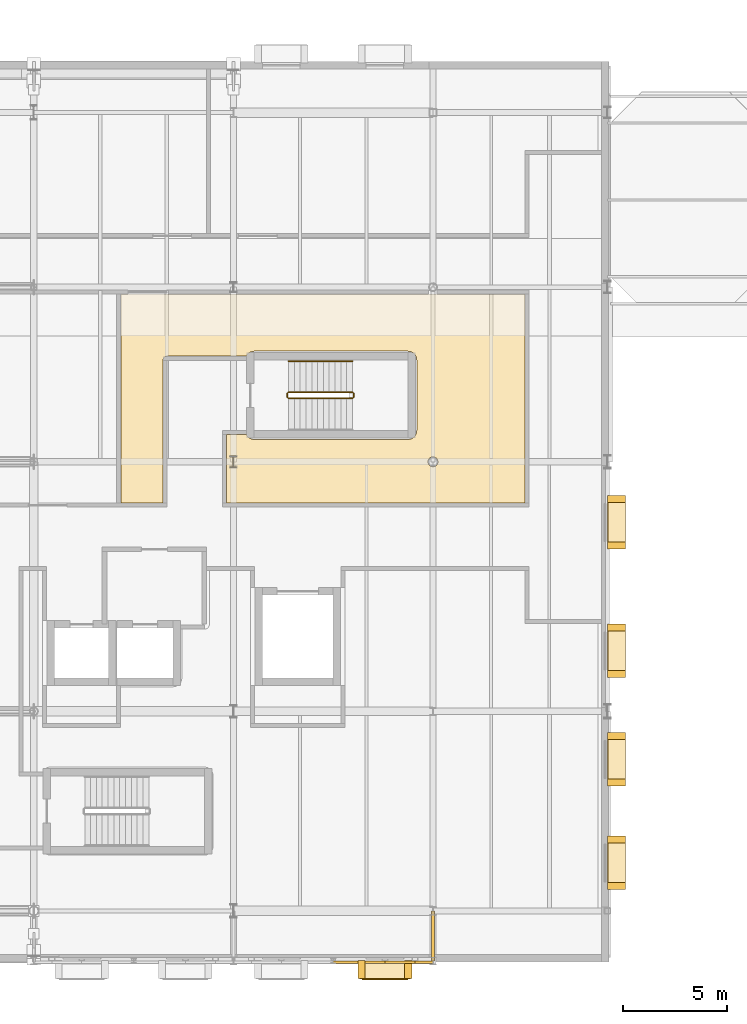
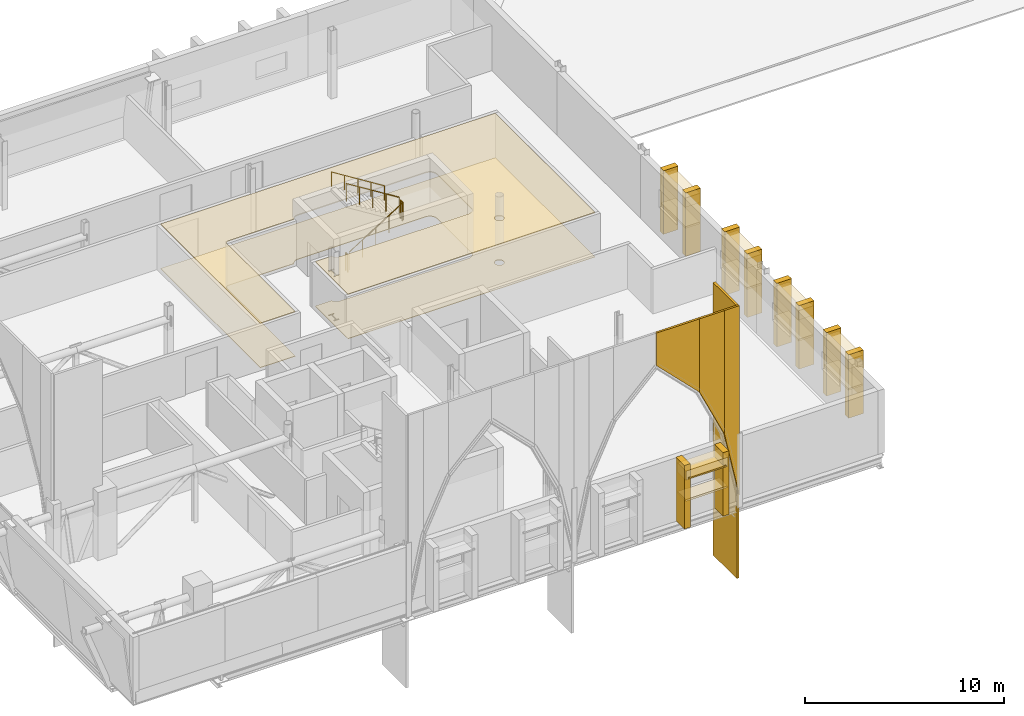
# One storey, part 75 of 90: 26 coverings, 5 railings, 1 shading device.
"""IFC4 building model written with IfcOpenShell, lengths in metres."""

from ifc_helpers import new_model, si_unit, direction, frame, origin, origin_2d, place, context, subcontext, project, spatial, polyline, rectangle, circle, outline, extrude, material, layer, layer_set, type_object, element, save


model = new_model("IFC4")

# Units and contexts
model_context = context("Model", 3, precision=1e-05, world=origin(), true_north=direction((0.0, 1.0)))
body_context = subcontext(model_context, "Body", "Model", "MODEL_VIEW")
ifc_project = project(units=[si_unit("LENGTHUNIT", "METRE"), si_unit("AREAUNIT", "SQUARE_METRE"), si_unit("VOLUMEUNIT", "CUBIC_METRE"), si_unit("PLANEANGLEUNIT", "RADIAN"), si_unit("MASSUNIT", "GRAM", prefix="KILO")], contexts=[model_context])

# Site, building, storey
site_placement = place(None, origin())
site = spatial("IfcSite", under=ifc_project, at=site_placement, CompositionType="ELEMENT")
building_placement = place(site_placement, origin())
building = spatial("IfcBuilding", under=site, at=building_placement, Name="Zereglee Splitstone Museum", CompositionType="ELEMENT")
storey_placement = place(building_placement, frame((0.0, 0.0, 4.800048828125)))
storey = spatial("IfcBuildingStorey", under=building, at=storey_placement, Name="L01", CompositionType="ELEMENT", Elevation=4.800048828125)

# Coverings
ifc_material_1 = material(Name="Siberian larch acoustic timber ceiling", Category="wood")
ifc_layer_1 = layer(ifc_material_1, 0.06005859375)
ifc_layer_set_1 = layer_set([ifc_layer_1], Name="Siberian larch acoustic timber ceiling")
covering_type_1 = type_object("IfcCoveringType", Name="CLG-01", PredefinedType="CEILING", material=ifc_layer_set_1)
covering_1_placement = place(storey_placement, frame((0.0, 0.0, 2.699951171875)))
element("IfcCovering", 1, at=covering_1_placement, inside=storey, type_object=covering_type_1, Name="Acoustic Ceiling L01-021", PredefinedType="CEILING", context=body_context, shape_type="SweptSolid", body=[
    extrude(outline(polyline([(26.799072265625, 26.679931640625), (26.783203125, 26.67919921875), (26.781494140625, 26.678955078125), (26.765869140625, 26.6767578125), (26.763916015625, 26.67626953125), (26.748779296875, 26.672607421875), (26.746826171875, 26.671875), (26.73193359375, 26.666748046875), (26.730224609375, 26.666015625), (26.716064453125, 26.6591796875), (26.71435546875, 26.658203125), (26.70068359375, 26.650146484375), (26.69921875, 26.649169921875), (26.6865234375, 26.6396484375), (26.68505859375, 26.638427734375), (26.67333984375, 26.6279296875), (26.672119140625, 26.626708984375), (26.66162109375, 26.614990234375), (26.660400390625, 26.61328125), (26.65087890625, 26.600830078125), (26.64990234375, 26.59912109375), (26.6416015625, 26.585693359375), (26.640869140625, 26.583984375), (26.634033203125, 26.56982421875), (26.63330078125, 26.568115234375), (26.628173828125, 26.55322265625), (26.62744140625, 26.55126953125), (26.623779296875, 26.5361328125), (26.623291015625, 26.5341796875), (26.62109375, 26.5185546875), (26.620849609375, 26.5166015625), (26.6201171875, 26.5009765625), (26.6201171875, 26.5), (26.6201171875, 19.6298828125), (24.590087890625, 19.6298828125), (24.590087890625, 29.659912109375), (44.02001953125, 29.659912109375), (44.02001953125, 19.6298828125), (29.679931640625, 19.6298828125), (29.679931640625, 22.919921875), (30.62109375, 22.919921875), (30.629638671875, 22.902099609375), (30.65087890625, 22.86669921875), (30.67529296875, 22.83349609375), (30.702880859375, 22.802978515625), (30.733642578125, 22.775390625), (30.7666015625, 22.750732421875), (30.802001953125, 22.7294921875), (30.83935546875, 22.7119140625), (30.878173828125, 22.697998046875), (30.918212890625, 22.68798828125), (30.958740234375, 22.681884765625), (31.0, 22.679931640625), (38.39990234375, 22.679931640625), (38.441162109375, 22.681884765625), (38.48193359375, 22.68798828125), (38.52197265625, 22.697998046875), (38.560791015625, 22.7119140625), (38.597900390625, 22.7294921875), (38.63330078125, 22.750732421875), (38.66650390625, 22.775390625), (38.697021484375, 22.802978515625), (38.724609375, 22.83349609375), (38.749267578125, 22.86669921875), (38.7705078125, 22.902099609375), (38.7880859375, 22.939208984375), (38.802001953125, 22.97802734375), (38.81201171875, 23.01806640625), (38.818115234375, 23.058837890625), (38.820068359375, 23.10009765625), (38.820068359375, 26.5), (38.818115234375, 26.541259765625), (38.81201171875, 26.581787109375), (38.802001953125, 26.621826171875), (38.7880859375, 26.66064453125), (38.7705078125, 26.697998046875), (38.749267578125, 26.7333984375), (38.724609375, 26.766357421875), (38.697021484375, 26.797119140625), (38.66650390625, 26.82470703125), (38.63330078125, 26.84912109375), (38.597900390625, 26.870361328125), (38.560791015625, 26.887939453125), (38.52197265625, 26.90185546875), (38.48193359375, 26.911865234375), (38.441162109375, 26.91796875), (38.39990234375, 26.919921875), (31.0, 26.919921875), (30.958740234375, 26.91796875), (30.918212890625, 26.911865234375), (30.878173828125, 26.90185546875), (30.83935546875, 26.887939453125), (30.802001953125, 26.870361328125), (30.7666015625, 26.84912109375), (30.733642578125, 26.82470703125), (30.702880859375, 26.797119140625), (30.67529296875, 26.766357421875), (30.65087890625, 26.7333984375), (30.629638671875, 26.697998046875), (30.62109375, 26.679931640625), (26.800048828125, 26.679931640625), (26.799072265625, 26.679931640625)]), holes=[polyline([(39.6904296875, 21.381591796875), (39.7314453125, 21.4033203125), (39.76708984375, 21.432861328125), (39.796630859375, 21.468505859375), (39.818603515625, 21.509521484375), (39.83203125, 21.553955078125), (39.83642578125, 21.60009765625), (39.83203125, 21.64599609375), (39.818603515625, 21.6904296875), (39.796630859375, 21.7314453125), (39.76708984375, 21.76708984375), (39.7314453125, 21.796630859375), (39.6904296875, 21.818603515625), (39.64599609375, 21.83203125), (39.60009765625, 21.83642578125), (39.553955078125, 21.83203125), (39.509521484375, 21.818603515625), (39.468505859375, 21.796630859375), (39.432861328125, 21.76708984375), (39.4033203125, 21.7314453125), (39.381591796875, 21.6904296875), (39.367919921875, 21.64599609375), (39.363525390625, 21.60009765625), (39.367919921875, 21.553955078125), (39.381591796875, 21.509521484375), (39.4033203125, 21.468505859375), (39.432861328125, 21.432861328125), (39.468505859375, 21.4033203125), (39.509521484375, 21.381591796875), (39.553955078125, 21.367919921875), (39.60009765625, 21.363525390625), (39.64599609375, 21.367919921875), (39.6904296875, 21.381591796875)]), polyline([(30.157958984375, 21.837890625), (30.157958984375, 21.883056640625), (29.842041015625, 21.883056640625), (29.842041015625, 21.837890625), (29.984619140625, 21.837890625), (29.984619140625, 21.362060546875), (29.842041015625, 21.362060546875), (29.842041015625, 21.31689453125), (30.157958984375, 21.31689453125), (30.157958984375, 21.362060546875), (30.015380859375, 21.362060546875), (30.015380859375, 21.837890625), (30.157958984375, 21.837890625)])]), origin(), (0.0, 0.0, 1.0), 0.06005859375),
])
ifc_material_2 = material(Name="Honed Gobi pale limestone stringcourse and soffit cladding", Category="masonry")
ifc_layer_2 = layer(ifc_material_2, 0.070068359375)
ifc_layer_set_2 = layer_set([ifc_layer_2], Name="Honed Gobi pale limestone stringcourse and soffit cladding")
covering_type_2 = type_object("IfcCoveringType", Name="CL-02", PredefinedType="CLADDING", material=ifc_layer_set_2)
for number, where, z_axis, x_axis, name in (
    (2, (36.169921875, -2.824951171875, 0.0), (0.0, 0.0, 1.0), (1.0, 0.0, 0.0), "Mughal Window Reveal Stone Pilaster L01-0024L"),
    (3, (38.409912109375, -2.824951171875, 0.0), (0.0, 0.0, 1.0), (1.0, 0.0, 0.0), "Mughal Window Reveal Stone Pilaster L01-0024R"),
):
    element("IfcCovering", number, at=place(storey_placement, frame(where, z_axis=z_axis, x_axis=x_axis)), inside=storey, type_object=covering_type_2, Name=name, PredefinedType="CLADDING", context=body_context, shape_type="SweptSolid", body=[
        extrude(rectangle(XDim=0.340087890625, YDim=0.860107421875, at=origin_2d()), origin(), (0.0, 0.0, 1.0), 3.89990234375),
    ])
covering_2_placement = place(storey_placement, frame((37.2900390625, -2.8349609375, 1.659912109375), z_axis=(0.0, 0.0, 1.0), x_axis=(1.0, 0.0, 0.0)))
element("IfcCovering", 4, at=covering_2_placement, inside=storey, type_object=covering_type_2, Name="Carved Limestone Window Sill L01-0024", PredefinedType="CLADDING", context=body_context, shape_type="SweptSolid", body=[
    extrude(rectangle(XDim=2.43994140625, YDim=0.840087890625, at=origin_2d()), origin(), (0.0, 0.0, 1.0), 0.1201171875),
])
for number, where, z_axis, x_axis, name in (
    (5, (48.425048828125, 1.18994140625, 0.0), (0.0, 0.0, 1.0), (0.0, 1.0, 0.0), "Mughal Window Reveal Stone Pilaster L01-0025L"),
    (6, (48.425048828125, 3.429931640625, 0.0), (0.0, 0.0, 1.0), (0.0, 1.0, 0.0), "Mughal Window Reveal Stone Pilaster L01-0025R"),
):
    element("IfcCovering", number, at=place(storey_placement, frame(where, z_axis=z_axis, x_axis=x_axis)), inside=storey, type_object=covering_type_2, Name=name, PredefinedType="CLADDING", context=body_context, shape_type="SweptSolid", body=[
        extrude(rectangle(XDim=0.340087890625, YDim=0.860107421875, at=origin_2d()), origin(), (0.0, 0.0, 1.0), 3.89990234375),
    ])
covering_3_placement = place(storey_placement, frame((48.43505859375, 2.31005859375, 1.659912109375), z_axis=(0.0, 0.0, 1.0), x_axis=(0.0, 1.0, 0.0)))
element("IfcCovering", 7, at=covering_3_placement, inside=storey, type_object=covering_type_2, Name="Carved Limestone Window Sill L01-0025", PredefinedType="CLADDING", context=body_context, shape_type="SweptSolid", body=[
    extrude(rectangle(XDim=2.43994140625, YDim=0.840087890625, at=origin_2d()), origin(), (0.0, 0.0, 1.0), 0.1201171875),
])
for number, where, z_axis, x_axis, name in (
    (8, (48.425048828125, 6.169921875, 0.0), (0.0, 0.0, 1.0), (0.0, 1.0, 0.0), "Mughal Window Reveal Stone Pilaster L01-0026L"),
    (9, (48.425048828125, 8.409912109375, 0.0), (0.0, 0.0, 1.0), (0.0, 1.0, 0.0), "Mughal Window Reveal Stone Pilaster L01-0026R"),
):
    element("IfcCovering", number, at=place(storey_placement, frame(where, z_axis=z_axis, x_axis=x_axis)), inside=storey, type_object=covering_type_2, Name=name, PredefinedType="CLADDING", context=body_context, shape_type="SweptSolid", body=[
        extrude(rectangle(XDim=0.340087890625, YDim=0.860107421875, at=origin_2d()), origin(), (0.0, 0.0, 1.0), 3.89990234375),
    ])
covering_4_placement = place(storey_placement, frame((48.43505859375, 7.2900390625, 1.659912109375), z_axis=(0.0, 0.0, 1.0), x_axis=(0.0, 1.0, 0.0)))
element("IfcCovering", 10, at=covering_4_placement, inside=storey, type_object=covering_type_2, Name="Carved Limestone Window Sill L01-0026", PredefinedType="CLADDING", context=body_context, shape_type="SweptSolid", body=[
    extrude(rectangle(XDim=2.43994140625, YDim=0.840087890625, at=origin_2d()), origin(), (0.0, 0.0, 1.0), 0.1201171875),
])
for number, where, z_axis, x_axis, name in (
    (11, (48.425048828125, 11.389892578125, 0.0), (0.0, 0.0, 1.0), (0.0, 1.0, 0.0), "Mughal Window Reveal Stone Pilaster L01-0027L"),
    (12, (48.425048828125, 13.6298828125, 0.0), (0.0, 0.0, 1.0), (0.0, 1.0, 0.0), "Mughal Window Reveal Stone Pilaster L01-0027R"),
):
    element("IfcCovering", number, at=place(storey_placement, frame(where, z_axis=z_axis, x_axis=x_axis)), inside=storey, type_object=covering_type_2, Name=name, PredefinedType="CLADDING", context=body_context, shape_type="SweptSolid", body=[
        extrude(rectangle(XDim=0.340087890625, YDim=0.860107421875, at=origin_2d()), origin(), (0.0, 0.0, 1.0), 3.89990234375),
    ])
covering_5_placement = place(storey_placement, frame((48.43505859375, 12.510009765625, 1.659912109375), z_axis=(0.0, 0.0, 1.0), x_axis=(0.0, 1.0, 0.0)))
element("IfcCovering", 13, at=covering_5_placement, inside=storey, type_object=covering_type_2, Name="Carved Limestone Window Sill L01-0027", PredefinedType="CLADDING", context=body_context, shape_type="SweptSolid", body=[
    extrude(rectangle(XDim=2.43994140625, YDim=0.840087890625, at=origin_2d()), origin(), (0.0, 0.0, 1.0), 0.1201171875),
])
for number, where, z_axis, x_axis, name in (
    (14, (48.425048828125, 17.570068359375, 0.0), (0.0, 0.0, 1.0), (0.0, 1.0, 0.0), "Mughal Window Reveal Stone Pilaster L01-0028L"),
    (15, (48.425048828125, 19.81005859375, 0.0), (0.0, 0.0, 1.0), (0.0, 1.0, 0.0), "Mughal Window Reveal Stone Pilaster L01-0028R"),
):
    element("IfcCovering", number, at=place(storey_placement, frame(where, z_axis=z_axis, x_axis=x_axis)), inside=storey, type_object=covering_type_2, Name=name, PredefinedType="CLADDING", context=body_context, shape_type="SweptSolid", body=[
        extrude(rectangle(XDim=0.340087890625, YDim=0.860107421875, at=origin_2d()), origin(), (0.0, 0.0, 1.0), 3.89990234375),
    ])
covering_6_placement = place(storey_placement, frame((48.43505859375, 18.68994140625, 1.659912109375), z_axis=(0.0, 0.0, 1.0), x_axis=(0.0, 1.0, 0.0)))
element("IfcCovering", 16, at=covering_6_placement, inside=storey, type_object=covering_type_2, Name="Carved Limestone Window Sill L01-0028", PredefinedType="CLADDING", context=body_context, shape_type="SweptSolid", body=[
    extrude(rectangle(XDim=2.43994140625, YDim=0.840087890625, at=origin_2d()), origin(), (0.0, 0.0, 1.0), 0.1201171875),
])
covering_7_placement = place(storey_placement, frame((0.0, 0.0, -4.800048828125)))
element("IfcCovering", 17, at=covering_7_placement, inside=storey, type_object=covering_type_2, Name="Mughal Iwan Stone Cheek Return PSQ-SV1-2", PredefinedType="CLADDING", context=body_context, shape_type="SweptSolid", body=[
    extrude(outline(polyline([(39.530029296875, -2.39990234375), (39.669921875, -2.39990234375), (39.669921875, 0.0), (39.530029296875, 0.0), (39.530029296875, -2.39990234375)])), origin(), (0.0, 0.0, 1.0), 16.72509765625),
])
ifc_material_3 = material(Name="Honed Khoroo red sandstone ventilated rainscreen", Category="masonry")
ifc_layer_3 = layer(ifc_material_3, 0.080078125)
ifc_layer_set_3 = layer_set([ifc_layer_3], Name="Honed Khoroo red sandstone ventilated rainscreen")
covering_type_3 = type_object("IfcCoveringType", Name="CL-01", PredefinedType="CLADDING", material=ifc_layer_set_3)
for number, where, z_axis, x_axis, name in (
    (18, (37.2900390625, -2.8349609375, 2.9599609375), (0.0, 0.0, 1.0), (1.0, 0.0, 0.0), "Pointed-Arch Mughal Window Hood L01-0024"),
    (19, (48.43505859375, 2.31005859375, 2.9599609375), (0.0, 0.0, 1.0), (0.0, 1.0, 0.0), "Pointed-Arch Mughal Window Hood L01-0025"),
    (20, (48.43505859375, 7.2900390625, 2.9599609375), (0.0, 0.0, 1.0), (0.0, 1.0, 0.0), "Pointed-Arch Mughal Window Hood L01-0026"),
    (21, (48.43505859375, 12.510009765625, 2.9599609375), (0.0, 0.0, 1.0), (0.0, 1.0, 0.0), "Pointed-Arch Mughal Window Hood L01-0027"),
    (22, (48.43505859375, 18.68994140625, 2.9599609375), (0.0, 0.0, 1.0), (0.0, 1.0, 0.0), "Pointed-Arch Mughal Window Hood L01-0028"),
):
    element("IfcCovering", number, at=place(storey_placement, frame(where, z_axis=z_axis, x_axis=x_axis)), inside=storey, type_object=covering_type_3, Name=name, PredefinedType="CLADDING", context=body_context, shape_type="SweptSolid", body=[
        extrude(rectangle(XDim=2.43994140625, YDim=0.860107421875, at=origin_2d()), origin(), (0.0, 0.0, 1.0), 0.580078125),
    ])
covering_8_placement = place(storey_placement, frame((34.800048828125, -2.5400390625, 10.0), z_axis=(0.0, -1.0, 0.0), x_axis=(0.707072197919, 0.0, -0.707141362763)))
element("IfcCovering", 23, at=covering_8_placement, inside=storey, type_object=covering_type_3, Name="Mughal Pishtaq Pointed-Arch Stone Voussoir PSQ-SV1-2-4", PredefinedType="CLADDING", context=body_context, shape_type="SweptSolid", body=[
    extrude(outline(polyline([(0.0, 0.0), (3.5298370049347043, 0.0), (0.3399319854601437, 3.1895930178099015), (-1.4248138835159143, 1.4246745237855234), (0.0, 0.0)])), origin(), (0.0, 0.0, -1.0), 0.1201171875),
])
covering_9_placement = place(storey_placement, frame((37.2958984375, -2.5400390625, 7.50390625), z_axis=(0.0, -1.0, 0.0), x_axis=(0.424476278162, 0.0, -0.905439058843)))
element("IfcCovering", 24, at=covering_9_placement, inside=storey, type_object=covering_type_3, Name="Mughal Pishtaq Pointed-Arch Stone Voussoir PSQ-SV1-2-5", PredefinedType="CLADDING", context=body_context, shape_type="SweptSolid", body=[
    extrude(outline(polyline([(0.0, 0.0), (3.3928528423568896, 0.0), (-3.473098614589056, 3.218806933523336), (-4.084423215389254, 1.9148066874021465), (0.0, 0.0)])), origin(), (0.0, 0.0, -1.0), 0.1201171875),
])
covering_10_placement = place(storey_placement, frame((38.736083984375, -2.5400390625, 4.431884765625), z_axis=(0.0, -1.0, 0.0), x_axis=(0.209533132125, 0.0, -0.977801547627)))
element("IfcCovering", 25, at=covering_10_placement, inside=storey, type_object=covering_type_3, Name="Mughal Pishtaq Pointed-Arch Stone Voussoir PSQ-SV1-2-6", PredefinedType="CLADDING", context=body_context, shape_type="SweptSolid", body=[
    extrude(outline(polyline([(0.0, 0.0), (4.123518142981296, 1.1102230246251565e-16), (-7.233637283862723, 2.4337252834151366), (-7.414676774729905, 1.5888913778849005), (0.0, 0.0)])), origin(), (0.0, 0.0, -1.0), 0.1201171875),
])
ifc_material_4 = material(Name="Honed Gobi granite terrazzo flooring", Category="masonry")
ifc_layer_4 = layer(ifc_material_4, 0.030029296875)
ifc_layer_set_4 = layer_set([ifc_layer_4], Name="Honed Gobi granite terrazzo flooring")
covering_type_4 = type_object("IfcCoveringType", Name="FLR-01", PredefinedType="FLOORING", material=ifc_layer_set_4)
covering_11_placement = place(storey_placement, origin())
element("IfcCovering", 26, at=covering_11_placement, inside=storey, type_object=covering_type_4, Name="Terrazzo Gallery Flooring L01-011", PredefinedType="FLOORING", context=body_context, shape_type="SweptSolid", body=[
    extrude(outline(polyline([(26.799072265625, 26.679931640625), (26.783203125, 26.67919921875), (26.781494140625, 26.678955078125), (26.765869140625, 26.6767578125), (26.763916015625, 26.67626953125), (26.748779296875, 26.672607421875), (26.746826171875, 26.671875), (26.73193359375, 26.666748046875), (26.730224609375, 26.666015625), (26.716064453125, 26.6591796875), (26.71435546875, 26.658203125), (26.70068359375, 26.650146484375), (26.69921875, 26.649169921875), (26.6865234375, 26.6396484375), (26.68505859375, 26.638427734375), (26.67333984375, 26.6279296875), (26.672119140625, 26.626708984375), (26.66162109375, 26.614990234375), (26.660400390625, 26.61328125), (26.65087890625, 26.600830078125), (26.64990234375, 26.59912109375), (26.6416015625, 26.585693359375), (26.640869140625, 26.583984375), (26.634033203125, 26.56982421875), (26.63330078125, 26.568115234375), (26.628173828125, 26.55322265625), (26.62744140625, 26.55126953125), (26.623779296875, 26.5361328125), (26.623291015625, 26.5341796875), (26.62109375, 26.5185546875), (26.620849609375, 26.5166015625), (26.6201171875, 26.5009765625), (26.6201171875, 26.5), (26.6201171875, 19.6298828125), (24.590087890625, 19.6298828125), (24.590087890625, 29.659912109375), (44.02001953125, 29.659912109375), (44.02001953125, 19.6298828125), (29.679931640625, 19.6298828125), (29.679931640625, 22.919921875), (30.62109375, 22.919921875), (30.629638671875, 22.902099609375), (30.65087890625, 22.86669921875), (30.67529296875, 22.83349609375), (30.702880859375, 22.802978515625), (30.733642578125, 22.775390625), (30.7666015625, 22.750732421875), (30.802001953125, 22.7294921875), (30.83935546875, 22.7119140625), (30.878173828125, 22.697998046875), (30.918212890625, 22.68798828125), (30.958740234375, 22.681884765625), (31.0, 22.679931640625), (38.39990234375, 22.679931640625), (38.441162109375, 22.681884765625), (38.48193359375, 22.68798828125), (38.52197265625, 22.697998046875), (38.560791015625, 22.7119140625), (38.597900390625, 22.7294921875), (38.63330078125, 22.750732421875), (38.66650390625, 22.775390625), (38.697021484375, 22.802978515625), (38.724609375, 22.83349609375), (38.749267578125, 22.86669921875), (38.7705078125, 22.902099609375), (38.7880859375, 22.939208984375), (38.802001953125, 22.97802734375), (38.81201171875, 23.01806640625), (38.818115234375, 23.058837890625), (38.820068359375, 23.10009765625), (38.820068359375, 26.5), (38.818115234375, 26.541259765625), (38.81201171875, 26.581787109375), (38.802001953125, 26.621826171875), (38.7880859375, 26.66064453125), (38.7705078125, 26.697998046875), (38.749267578125, 26.7333984375), (38.724609375, 26.766357421875), (38.697021484375, 26.797119140625), (38.66650390625, 26.82470703125), (38.63330078125, 26.84912109375), (38.597900390625, 26.870361328125), (38.560791015625, 26.887939453125), (38.52197265625, 26.90185546875), (38.48193359375, 26.911865234375), (38.441162109375, 26.91796875), (38.39990234375, 26.919921875), (31.0, 26.919921875), (30.958740234375, 26.91796875), (30.918212890625, 26.911865234375), (30.878173828125, 26.90185546875), (30.83935546875, 26.887939453125), (30.802001953125, 26.870361328125), (30.7666015625, 26.84912109375), (30.733642578125, 26.82470703125), (30.702880859375, 26.797119140625), (30.67529296875, 26.766357421875), (30.65087890625, 26.7333984375), (30.629638671875, 26.697998046875), (30.62109375, 26.679931640625), (26.800048828125, 26.679931640625), (26.799072265625, 26.679931640625)]), holes=[polyline([(39.6904296875, 21.381591796875), (39.7314453125, 21.4033203125), (39.76708984375, 21.432861328125), (39.796630859375, 21.468505859375), (39.818603515625, 21.509521484375), (39.83203125, 21.553955078125), (39.83642578125, 21.60009765625), (39.83203125, 21.64599609375), (39.818603515625, 21.6904296875), (39.796630859375, 21.7314453125), (39.76708984375, 21.76708984375), (39.7314453125, 21.796630859375), (39.6904296875, 21.818603515625), (39.64599609375, 21.83203125), (39.60009765625, 21.83642578125), (39.553955078125, 21.83203125), (39.509521484375, 21.818603515625), (39.468505859375, 21.796630859375), (39.432861328125, 21.76708984375), (39.4033203125, 21.7314453125), (39.381591796875, 21.6904296875), (39.367919921875, 21.64599609375), (39.363525390625, 21.60009765625), (39.367919921875, 21.553955078125), (39.381591796875, 21.509521484375), (39.4033203125, 21.468505859375), (39.432861328125, 21.432861328125), (39.468505859375, 21.4033203125), (39.509521484375, 21.381591796875), (39.553955078125, 21.367919921875), (39.60009765625, 21.363525390625), (39.64599609375, 21.367919921875), (39.6904296875, 21.381591796875)]), polyline([(30.157958984375, 21.837890625), (30.157958984375, 21.883056640625), (29.842041015625, 21.883056640625), (29.842041015625, 21.837890625), (29.984619140625, 21.837890625), (29.984619140625, 21.362060546875), (29.842041015625, 21.362060546875), (29.842041015625, 21.31689453125), (30.157958984375, 21.31689453125), (30.157958984375, 21.362060546875), (30.015380859375, 21.362060546875), (30.015380859375, 21.837890625), (30.157958984375, 21.837890625)])]), origin(), (0.0, 0.0, 1.0), 0.030029296875),
])

# Railings
ifc_material_5 = material(Name="Painted steel S355J2 post-and-baluster guard", Category="steel")
railing_type_1 = type_object("IfcRailingType", Name="GR-03", PredefinedType="BALUSTRADE", material=ifc_material_5)
railing_1_placement = place(storey_placement, frame((32.64990234375, 24.64990234375, 0.175048828125)))
element("IfcRailing", 27, at=railing_1_placement, inside=storey, type_object=railing_type_1, Name="L01 ST-02 stair guard 1", PredefinedType="BALUSTRADE", context=body_context, shape_type="SweptSolid", body=[
    extrude(circle(Radius=0.02392578125, at=origin_2d()), frame((0.0, 0.0, 1.076416015625), z_axis=(0.848028513186, 0.0, 0.529950602248), x_axis=(0.0, 1.0, 0.0)), (0.0, 0.0, 1.0), 3.632080078125),
    extrude(circle(Radius=0.02099609375, at=origin_2d()), origin(), (0.0, 0.0, 1.0), 1.052001953125),
    extrude(circle(Radius=0.02099609375, at=origin_2d()), frame((0.77001953125, 0.0, 0.481201171875)), (0.0, 0.0, 1.0), 1.052001953125),
    extrude(circle(Radius=0.02099609375, at=origin_2d()), frame((1.5400390625, 0.0, 0.96240234375)), (0.0, 0.0, 1.0), 1.052001953125),
    extrude(circle(Radius=0.02099609375, at=origin_2d()), frame((2.31005859375, 0.0, 1.443603515625)), (0.0, 0.0, 1.0), 1.052001953125),
    extrude(circle(Radius=0.02099609375, at=origin_2d()), frame((3.080078125, 0.0, 1.9248046875)), (0.0, 0.0, 1.0), 1.052001953125),
])
railing_2_placement = place(storey_placement, frame((35.780029296875, 24.699951171875, 2.099853515625)))
element("IfcRailing", 28, at=railing_2_placement, inside=storey, type_object=railing_type_1, Name="L01 ST-02 stair guard 2", PredefinedType="BALUSTRADE", context=body_context, shape_type="SweptSolid", body=[
    extrude(circle(Radius=0.02392578125, at=origin_2d()), frame((0.0, 0.0, 1.076416015625), z_axis=(0.0, 1.0, 0.0), x_axis=(-1.0, 0.0, 0.0)), (0.0, 0.0, 1.0), 0.199951171875),
    extrude(circle(Radius=0.02099609375, at=origin_2d()), origin(), (0.0, 0.0, 1.0), 1.052001953125),
    extrude(circle(Radius=0.02099609375, at=origin_2d()), frame((0.0, 0.199951171875, 0.0)), (0.0, 0.0, 1.0), 1.052001953125),
])
railing_3_placement = place(storey_placement, frame((35.72998046875, 24.949951171875, 2.27490234375)))
element("IfcRailing", 29, at=railing_3_placement, inside=storey, type_object=railing_type_1, Name="L01 ST-02 stair guard 3", PredefinedType="BALUSTRADE", context=body_context, shape_type="SweptSolid", body=[
    extrude(circle(Radius=0.02392578125, at=origin_2d()), frame((0.0, 0.0, 1.076416015625), z_axis=(-0.847998304005, 0.0, 0.529998940003), x_axis=(0.0, -1.0, 0.0)), (0.0, 0.0, 1.0), 3.632080078125),
    extrude(circle(Radius=0.02099609375, at=origin_2d()), origin(), (0.0, 0.0, 1.0), 1.052001953125),
    extrude(circle(Radius=0.02099609375, at=origin_2d()), frame((-0.77001953125, 0.0, 0.481201171875)), (0.0, 0.0, 1.0), 1.052001953125),
    extrude(circle(Radius=0.02099609375, at=origin_2d()), frame((-1.5400390625, 0.0, 0.96240234375)), (0.0, 0.0, 1.0), 1.052001953125),
    extrude(circle(Radius=0.02099609375, at=origin_2d()), frame((-2.31005859375, 0.0, 1.44384765625)), (0.0, 0.0, 1.0), 1.052001953125),
    extrude(circle(Radius=0.02099609375, at=origin_2d()), frame((-3.080078125, 0.0, 1.925048828125)), (0.0, 0.0, 1.0), 1.052001953125),
])
railing_4_placement = place(storey_placement, frame((32.60009765625, 24.699951171875, 0.0)))
element("IfcRailing", 30, at=railing_4_placement, inside=storey, type_object=railing_type_1, Name="L01 ST-02 stair guard 4", PredefinedType="BALUSTRADE", context=body_context, shape_type="SweptSolid", body=[
    extrude(circle(Radius=0.02392578125, at=origin_2d()), frame((0.0, 0.0, 1.076416015625), z_axis=(0.0, 1.0, 0.0), x_axis=(-1.0, 0.0, 0.0)), (0.0, 0.0, 1.0), 0.199951171875),
    extrude(circle(Radius=0.02099609375, at=origin_2d()), origin(), (0.0, 0.0, 1.0), 1.052001953125),
    extrude(circle(Radius=0.02099609375, at=origin_2d()), frame((0.0, 0.199951171875, 0.0)), (0.0, 0.0, 1.0), 1.052001953125),
])
ifc_material_6 = material(Name="Architectural bronze tubular handrail", Category="steel")
railing_type_2 = type_object("IfcRailingType", Name="HR-01", PredefinedType="HANDRAIL", material=ifc_material_6)
railing_5_placement = place(storey_placement, frame((35.72998046875, 26.449951171875, 2.27490234375)))
element("IfcRailing", 31, at=railing_5_placement, inside=storey, type_object=railing_type_2, Name="L01 ST-02 stair handrail 2", PredefinedType="HANDRAIL", context=body_context, shape_type="SweptSolid", body=[
    extrude(circle(Radius=0.02392578125, at=origin_2d()), frame((0.0, 0.0, 0.8759765625), z_axis=(-0.847998304005, 0.0, 0.529998940003), x_axis=(0.0, -1.0, 0.0)), (0.0, 0.0, 1.0), 3.632080078125),
    extrude(circle(Radius=0.02099609375, at=origin_2d()), origin(), (0.0, 0.0, 1.0), 0.851806640625),
    extrude(circle(Radius=0.02099609375, at=origin_2d()), frame((-0.77001953125, 0.0, 0.481201171875)), (0.0, 0.0, 1.0), 0.851806640625),
    extrude(circle(Radius=0.02099609375, at=origin_2d()), frame((-1.5400390625, 0.0, 0.96240234375)), (0.0, 0.0, 1.0), 0.851806640625),
    extrude(circle(Radius=0.02099609375, at=origin_2d()), frame((-2.31005859375, 0.0, 1.44384765625)), (0.0, 0.0, 1.0), 0.851806640625),
    extrude(circle(Radius=0.02099609375, at=origin_2d()), frame((-3.080078125, 0.0, 1.925048828125)), (0.0, 0.0, 1.0), 0.851806640625),
])

# Shading device
ifc_material_7 = material(Name="Anodised bronze extruded aluminium chhajja brise-soleil", Category="aluminium")
ifc_layer_5 = layer(ifc_material_7, 0.080078125)
ifc_layer_set_5 = layer_set([ifc_layer_5], Name="Anodised bronze extruded aluminium chhajja brise-soleil")
shading_device_type = type_object("IfcShadingDeviceType", Name="SH-01", PredefinedType="SHUTTER", material=ifc_layer_set_5)
shading_device_placement = place(storey_placement, frame((37.2900390625, -2.8349609375, 3.039794921875), z_axis=(0.0, 0.0, 1.0), x_axis=(1.0, 0.0, 0.0)))
element("IfcShadingDevice", 32, at=shading_device_placement, inside=storey, type_object=shading_device_type, Name="Chhajja Window Brise-Soleil 17", PredefinedType="SHUTTER", context=body_context, shape_type="SweptSolid", body=[
    extrude(rectangle(XDim=2.199951171875, YDim=0.97998046875, at=origin_2d()), origin(), (0.0, 0.0, 1.0), 0.080078125),
])

save(model, "model.ifc")
